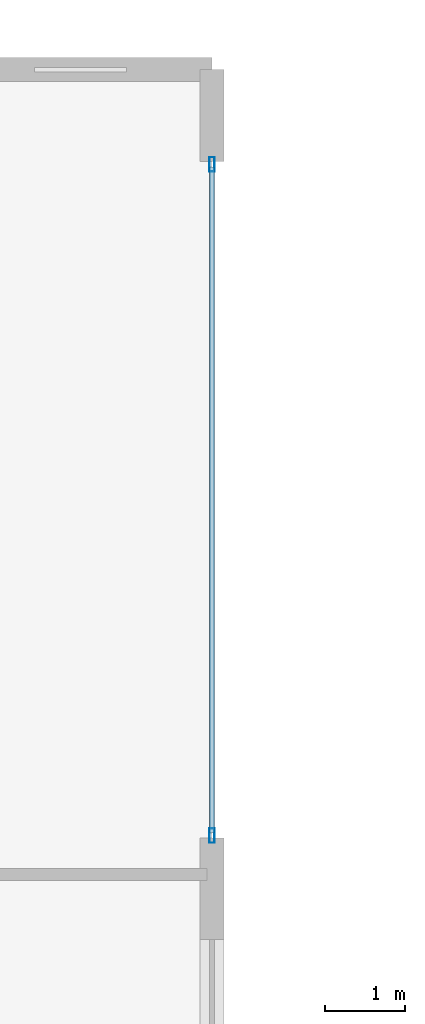
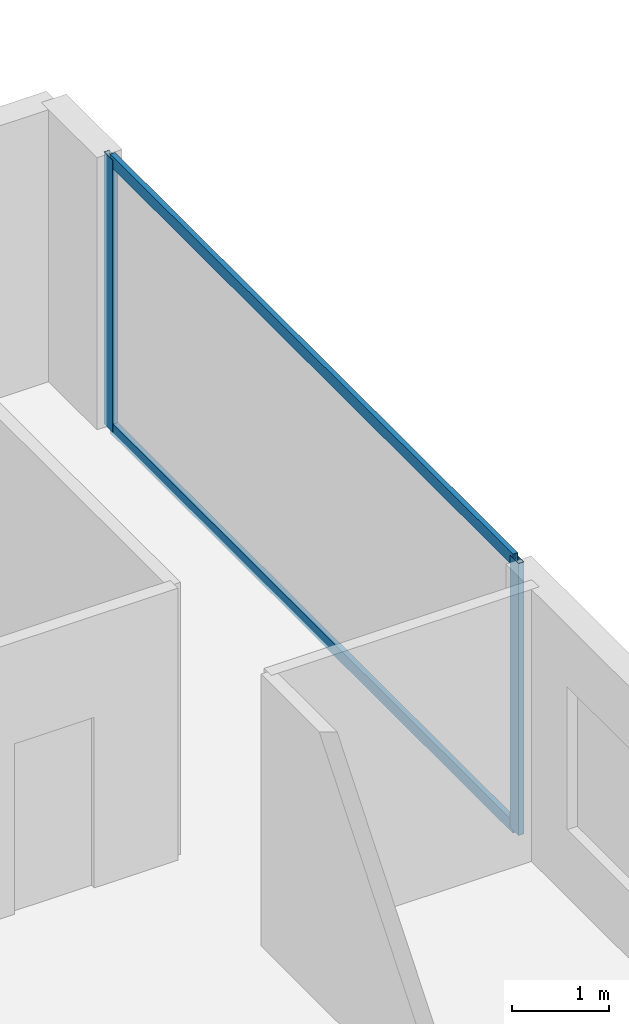
# One storey, part 19 of 29: 4 members, 1 element without a shape of its own.
"""IFC4 building model written with IfcOpenShell, lengths in metres."""

from ifc_helpers import new_model, si_unit, direction, frame, origin, origin_2d, place, context, subcontext, project, spatial, hollow_rectangle, extrude, material, layer, layer_set, material_profile, profile_set, type_object, element, aggregate, save


model = new_model("IFC4")

# Units and contexts
model_context = context("Model", 3, precision=1e-05, world=origin(), true_north=direction((0.0, 1.0)))
body_context = subcontext(model_context, "Body", "Model", "MODEL_VIEW")
ifc_project = project(units=[si_unit("LENGTHUNIT", "METRE"), si_unit("AREAUNIT", "SQUARE_METRE"), si_unit("VOLUMEUNIT", "CUBIC_METRE"), si_unit("PLANEANGLEUNIT", "RADIAN"), si_unit("MASSUNIT", "GRAM", prefix="KILO")], contexts=[model_context])

# Site, building, storey
site_placement = place(None, origin())
site = spatial("IfcSite", under=ifc_project, at=site_placement, CompositionType="ELEMENT")
building_placement = place(site_placement, origin())
building = spatial("IfcBuilding", under=site, at=building_placement, Name="Zuhayl Quay Hotel", CompositionType="ELEMENT")
storey_placement = place(building_placement, frame((0.0, 0.0, 113.89990234375)))
storey = spatial("IfcBuildingStorey", under=building, at=storey_placement, Name="L28", CompositionType="ELEMENT", Elevation=113.89990234375)

# Curtain wall, members
ifc_material_1 = material(Name="Anodised Aluminium 6063-T6", Category="aluminium")
ifc_layer = layer(ifc_material_1, 0.179931640625, Name="Anodised Aluminium 6063-T6", Category="aluminium")
ifc_layer_set = layer_set([ifc_layer], Name="Anodised Aluminium 6063-T6")
curtain_wall_type = type_object("IfcCurtainWallType", Name="CW_SYS_Z2", PredefinedType="USERDEFINED", material=ifc_layer_set)
curtain_wall_placement = place(storey_placement, origin())
curtain_wall = element("IfcCurtainWall", 1, at=curtain_wall_placement, inside=storey, type_object=curtain_wall_type, Name="L28 Curtain Wall ENV_L28_E11_CW1", ObjectType="UNITISED CURTAIN WALL", PredefinedType="USERDEFINED")
ifc_material_2 = material(Name="Black-anodised aluminium 6063-T6", Category="aluminium")
ifc_material_profile_1 = material_profile(ifc_material_2, hollow_rectangle(XDim=0.06494140625, YDim=0.179931640625, WallThickness=0.00341796875, at=origin_2d()), Name="ALU180X65")
ifc_profile_set_1 = profile_set([ifc_material_profile_1], Name="Black-anodised aluminium 6063-T6")
member_type_1 = type_object("IfcMemberType", Name="MB_CW_MUL_180", PredefinedType="MULLION", material=ifc_profile_set_1)
member_1_placement = place(storey_placement, frame((23.89990234375, 23.717529296875, 0.0), z_axis=(0.0, 0.0, 1.0), x_axis=(1.0, 0.0, 0.0)))
member_1 = element("IfcMember", 2, at=member_1_placement, type_object=member_type_1, Name="CW-Z2 mullion 1", PredefinedType="MULLION", context=body_context, shape_type="SweptSolid", body=[
    extrude(hollow_rectangle(XDim=0.06494140625, YDim=0.179931640625, WallThickness=0.00341796875, at=origin_2d()), origin(), (0.0, 0.0, 1.0), 3.43017578125),
])
member_2_placement = place(storey_placement, frame((23.89990234375, 15.33251953125, 0.0), z_axis=(0.0, 0.0, 1.0), x_axis=(1.0, 0.0, 0.0)))
member_2 = element("IfcMember", 3, at=member_2_placement, type_object=member_type_1, Name="CW-Z2 mullion 2", PredefinedType="MULLION", context=body_context, shape_type="SweptSolid", body=[
    extrude(hollow_rectangle(XDim=0.06494140625, YDim=0.179931640625, WallThickness=0.00341796875, at=origin_2d()), origin(), (0.0, 0.0, 1.0), 3.43017578125),
])
ifc_material_profile_2 = material_profile(ifc_material_2, hollow_rectangle(XDim=0.06005859375, YDim=0.14990234375, WallThickness=0.00341796875, at=origin_2d()), Name="ALU150X60")
ifc_profile_set_2 = profile_set([ifc_material_profile_2], Name="Black-anodised aluminium 6063-T6")
member_type_2 = type_object("IfcMemberType", Name="MB_CW_TRN_150", PredefinedType="USERDEFINED", material=ifc_profile_set_2)
member_3_placement = place(storey_placement, frame((23.89990234375, 23.68505859375, 0.030029296875), z_axis=(0.0, -1.0, 0.0), x_axis=(1.0, 0.0, 0.0)))
member_3 = element("IfcMember", 4, at=member_3_placement, type_object=member_type_2, Name="CW-Z2 transom 1.1", ObjectType="TRANSOM", PredefinedType="USERDEFINED", context=body_context, shape_type="SweptSolid", body=[
    extrude(hollow_rectangle(XDim=0.06005859375, YDim=0.14990234375, WallThickness=0.00341796875, at=origin_2d()), origin(), (0.0, 0.0, 1.0), 8.320068359375),
])
member_4_placement = place(storey_placement, frame((23.89990234375, 23.68505859375, 3.400146484375), z_axis=(0.0, -1.0, 0.0), x_axis=(1.0, 0.0, 0.0)))
member_4 = element("IfcMember", 5, at=member_4_placement, type_object=member_type_2, Name="CW-Z2 transom 1.2", ObjectType="TRANSOM", PredefinedType="USERDEFINED", context=body_context, shape_type="SweptSolid", body=[
    extrude(hollow_rectangle(XDim=0.06005859375, YDim=0.14990234375, WallThickness=0.00341796875, at=origin_2d()), origin(), (0.0, 0.0, 1.0), 8.320068359375),
])
aggregate(curtain_wall, [member_1, member_2, member_3, member_4])

save(model, "model.ifc")
